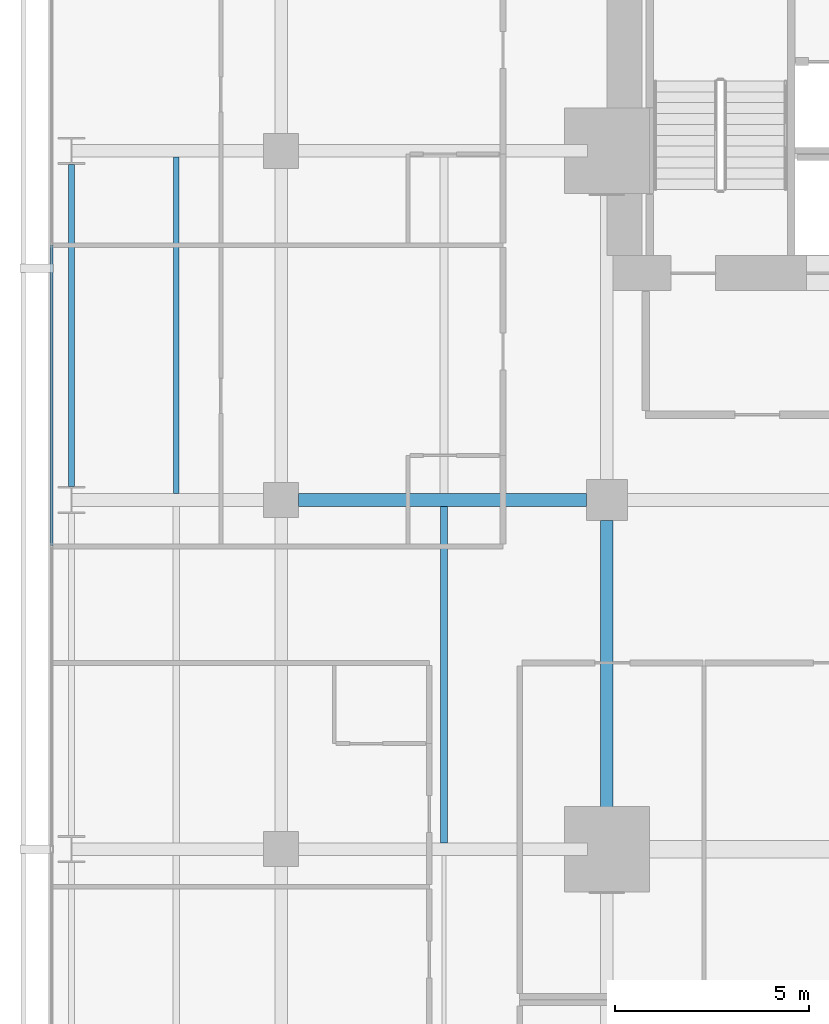
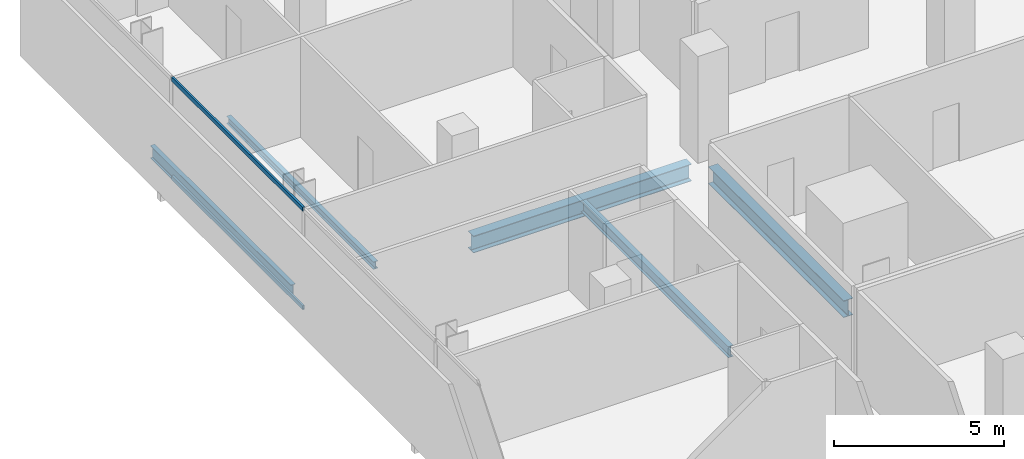
# One storey, part 22 of 40: 5 beams, 2 members, 1 element without a shape of its own.
"""IFC4 building model written with IfcOpenShell, lengths in metres."""

import ifcopenshell
import ifcopenshell.guid

model = None  # the IFC model being written
_history = None  # IfcOwnerHistory: only IFC2X3 demands one
_inside = {}  # id of a spatial element -> (the spatial element, [elements in it])
_under = {}  # id of a project, library or spatial element -> (it, [spatial elements below it])
_declared = {}  # id of a project -> (the project, [libraries it declares])
_typed = {}  # id of a type object -> (the type object, [elements of that type])
_made_of = {}  # id of a material, layer set ... -> (it, [elements and type objects made of it])


def new_model(schema):
    """Start an empty IFC model of exactly this schema.

    Asked for "IFC4X3", IfcOpenShell would pick the latest addendum, in which some entities
    have other attributes; the version numbers below select the first issue.
    IFC2X3 requires an IfcOwnerHistory on every rooted entity: one is made here for all.
    """
    global model, _history
    if schema == "IFC4X3":
        model = ifcopenshell.file(schema_version=(4, 3, 0, 0))
    else:
        model = ifcopenshell.file(schema=schema)
    _inside.clear()
    _under.clear()
    _declared.clear()
    _typed.clear()
    _made_of.clear()
    _history = None
    if model.schema == "IFC2X3":
        org = make("IfcOrganization", Name="unknown")
        user = make(
            "IfcPersonAndOrganization",
            ThePerson=make("IfcPerson", FamilyName="unknown"),
            TheOrganization=org,
        )
        app = make(
            "IfcApplication",
            ApplicationDeveloper=org,
            Version="unknown",
            ApplicationFullName="unknown",
            ApplicationIdentifier="unknown",
        )
        _history = make(
            "IfcOwnerHistory",
            OwningUser=user,
            OwningApplication=app,
            ChangeAction="ADDED",
            CreationDate=0,
        )
    return model


def make(cls, **values):
    """One entity of the class cls with the attributes given. An attribute that is None is left unset."""
    return model.create_entity(
        cls, **{name: value for name, value in values.items() if value is not None}
    )


def rooted(cls, **values):
    """An entity with a GlobalId (a new one), such as an element, a storey or a relation."""
    return make(cls, GlobalId=ifcopenshell.guid.new(), OwnerHistory=_history, **values)


def si_unit(unit_type, name, prefix=None):
    """IfcSIUnit, for example si_unit("LENGTHUNIT", "METRE", prefix="MILLI")."""
    return make("IfcSIUnit", UnitType=unit_type, Prefix=prefix, Name=name)


def assignment(units):
    """IfcUnitAssignment: the units of a project."""
    return None if units is None else make("IfcUnitAssignment", Units=units)


def point(xyz):
    """IfcCartesianPoint."""
    return None if xyz is None else make("IfcCartesianPoint", Coordinates=xyz)


def direction(xyz):
    """IfcDirection."""
    return None if xyz is None else make("IfcDirection", DirectionRatios=xyz)


def frame(location, z_axis=None, x_axis=None):
    """IfcAxis2Placement3D, a coordinate frame: its origin and axes. An axis left out is left unset."""
    return make(
        "IfcAxis2Placement3D",
        Location=point(location),
        Axis=direction(z_axis),
        RefDirection=direction(x_axis),
    )


def frame_2d(location, x_axis=None):
    """IfcAxis2Placement2D, a coordinate frame in the plane: its origin and x axis."""
    return make(
        "IfcAxis2Placement2D", Location=point(location), RefDirection=direction(x_axis)
    )


def origin():
    """The frame at (0, 0, 0) with its axes left unset."""
    return frame((0.0, 0.0, 0.0))


def origin_2d():
    """The frame at (0, 0) in the plane with its x axis left unset."""
    return frame_2d((0.0, 0.0))


def place(relative_to, where):
    """IfcLocalPlacement: puts the frame where relative to a parent placement (None: the world)."""
    return make(
        "IfcLocalPlacement", PlacementRelTo=relative_to, RelativePlacement=where
    )


def context(
    kind, dimensions, precision=None, world=None, true_north=None, identifier=None
):
    """IfcGeometricRepresentationContext, for example the 3D "Model" context."""
    return make(
        "IfcGeometricRepresentationContext",
        ContextIdentifier=identifier,
        ContextType=kind,
        CoordinateSpaceDimension=dimensions,
        Precision=precision,
        WorldCoordinateSystem=world,
        TrueNorth=true_north,
    )


def subcontext(parent, identifier, kind, view, scale=None):
    """IfcGeometricRepresentationSubContext, for example "Body" below "Model"."""
    return make(
        "IfcGeometricRepresentationSubContext",
        ContextIdentifier=identifier,
        ContextType=kind,
        ParentContext=parent,
        TargetScale=scale,
        TargetView=view,
    )


def project(units=None, contexts=None):
    """IfcProject with its units and contexts."""
    return rooted(
        "IfcProject",
        Name="project",
        RepresentationContexts=contexts,
        UnitsInContext=assignment(units),
    )


def spatial(cls, under=None, at=None, **own):
    """A site, building, storey or space (cls), placed at a placement, below another one or the project."""
    s = rooted(cls, ObjectPlacement=at, **own)
    if under is not None:
        _under.setdefault(under.id(), (under, []))[1].append(s)
    return s


def profile(cls, at=None, kind="AREA", **sizes):
    """A parametric profile (cls). Its sizes go by their IFC names, for example OverallWidth=200.0."""
    return make(cls, ProfileType=kind, Position=at, **sizes)


def hollow_rectangle(**sizes):
    """IfcRectangleHollowProfileDef."""
    return profile("IfcRectangleHollowProfileDef", **sizes)


def i_section(**sizes):
    """IfcIShapeProfileDef."""
    return profile("IfcIShapeProfileDef", **sizes)


def extrude(swept, where, along, depth):
    """IfcExtrudedAreaSolid: the profile swept, set in the frame where, extruded along a direction by depth."""
    return make(
        "IfcExtrudedAreaSolid",
        SweptArea=swept,
        Position=where,
        ExtrudedDirection=direction(along),
        Depth=depth,
    )


def shape(context_of_items, identifier, shape_type, items):
    """IfcShapeRepresentation: the items that make up one representation, for example the "Body"."""
    return make(
        "IfcShapeRepresentation",
        ContextOfItems=context_of_items,
        RepresentationIdentifier=identifier,
        RepresentationType=shape_type,
        Items=items,
    )


def material(Name=None, Category=None):
    """IfcMaterial."""
    return make("IfcMaterial", Name=Name, Category=Category)


def layer(
    of_material, thickness, ventilated=None, Name=None, Category=None, Priority=None
):
    """IfcMaterialLayer: one layer of a wall or slab, of a material (None: an air gap)."""
    return make(
        "IfcMaterialLayer",
        Material=of_material,
        LayerThickness=thickness,
        IsVentilated=ventilated,
        Name=Name,
        Category=Category,
        Priority=Priority,
    )


def layer_set(layers, Name=None):
    """IfcMaterialLayerSet."""
    return make("IfcMaterialLayerSet", MaterialLayers=layers, LayerSetName=Name)


def material_profile(
    of_material, cross_section, Name=None, Category=None, Priority=None
):
    """IfcMaterialProfile: a cross section and its material."""
    return make(
        "IfcMaterialProfile",
        Name=Name,
        Material=of_material,
        Profile=cross_section,
        Priority=Priority,
        Category=Category,
    )


def profile_set(profiles, Name=None, composite=None):
    """IfcMaterialProfileSet."""
    return make(
        "IfcMaterialProfileSet",
        Name=Name,
        MaterialProfiles=profiles,
        CompositeProfile=composite,
    )


def made_of(thing, what):
    """Note that an element or type object is made of a material, layer set ...; save() writes the relation."""
    if what is not None:
        _made_of.setdefault(what.id(), (what, []))[1].append(thing)
    return thing


def type_object(cls, material=None, **own):
    """A type object (cls), such as IfcWallType, which elements share."""
    return made_of(rooted(cls, **own), material)


def element(
    cls,
    number,
    at=None,
    inside=None,
    cuts=None,
    type_object=None,
    material=None,
    context=None,
    identifier="Body",
    shape_type=None,
    held_by="IfcProductDefinitionShape",
    body=None,
    shapes=None,
    **own,
):
    """One element of the class cls, such as IfcWall. Its Tag is "e" and its number.

    at: its placement. inside: the storey or other place that contains it. cuts: it is an
    opening in that element (IfcRelVoidsElement). A single representation is given by context,
    identifier, shape_type and body (its items); several are given by shapes. held_by: the class
    of the entity that holds the representations. save() writes the other relations.
    """
    e = rooted(cls, Tag="e%d" % number, ObjectPlacement=at, **own)
    if body is not None:
        shapes = [shape(context, identifier, shape_type, body)]
    if shapes is not None:
        e.Representation = make(held_by, Representations=shapes)
    if inside is not None:
        _inside.setdefault(inside.id(), (inside, []))[1].append(e)
    if cuts is not None:
        rooted(
            "IfcRelVoidsElement", RelatingBuildingElement=cuts, RelatedOpeningElement=e
        )
    if type_object is not None:
        _typed.setdefault(type_object.id(), (type_object, []))[1].append(e)
    return made_of(e, material)


def aggregate(whole, parts):
    """IfcRelAggregates: a whole, such as a stair, and the parts it consists of."""
    return rooted("IfcRelAggregates", RelatingObject=whole, RelatedObjects=parts)


def save(model, path):
    """Write the relations noted so far, then the file.

    IfcRelAggregates (storeys below a building ...), IfcRelContainedInSpatialStructure (elements
    in a storey), IfcRelDefinesByType, IfcRelAssociatesMaterial and IfcRelDeclares: one each for
    every whole, place, type object, material and project.
    """
    for whole, parts in _under.values():
        aggregate(whole, parts)
    for where, things in _inside.values():
        rooted(
            "IfcRelContainedInSpatialStructure",
            RelatedElements=things,
            RelatingStructure=where,
        )
    for kind, things in _typed.values():
        rooted("IfcRelDefinesByType", RelatedObjects=things, RelatingType=kind)
    for what, things in _made_of.values():
        rooted("IfcRelAssociatesMaterial", RelatedObjects=things, RelatingMaterial=what)
    for by, libraries in _declared.values():
        rooted("IfcRelDeclares", RelatingContext=by, RelatedDefinitions=libraries)
    model.write(path)


model = new_model("IFC4")

# Units and contexts
model_context = context("Model", 3, precision=1e-05, world=origin(), true_north=direction((0.0, 1.0)))
body_context = subcontext(model_context, "Body", "Model", "MODEL_VIEW")
ifc_project = project(units=[si_unit("LENGTHUNIT", "METRE"), si_unit("AREAUNIT", "SQUARE_METRE"), si_unit("VOLUMEUNIT", "CUBIC_METRE"), si_unit("PLANEANGLEUNIT", "RADIAN"), si_unit("MASSUNIT", "GRAM", prefix="KILO")], contexts=[model_context])

# Site, building, storey
site_placement = place(None, origin())
site = spatial("IfcSite", under=ifc_project, at=site_placement, CompositionType="ELEMENT")
building_placement = place(site_placement, origin())
building = spatial("IfcBuilding", under=site, at=building_placement, Name="Maruvema Waterfront Hotel and Observation Tower", CompositionType="ELEMENT")
storey_placement = place(building_placement, frame((0.0, 0.0, 92.39990234375)))
storey = spatial("IfcBuildingStorey", under=building, at=storey_placement, Name="L22", CompositionType="ELEMENT", Elevation=92.39990234375)

# Curtain wall, members
ifc_material_1 = material(Name="Anodised bronze aluminium and solar-control low-E IGU", Category="aluminium")
ifc_layer = layer(ifc_material_1, 0.159912109375, Name="Zone 1 Bronze Inner Thermal Curtain Wall System CW-02")
ifc_layer_set = layer_set([ifc_layer], Name="Anodised bronze aluminium and solar-control low-E IGU")
curtain_wall_type = type_object("IfcCurtainWallType", Name="Zone 1 Bronze Inner Thermal Curtain Wall System CW-02", PredefinedType="USERDEFINED", material=ifc_layer_set)
curtain_wall_placement = place(storey_placement, origin())
curtain_wall = element("IfcCurtainWall", 1, at=curtain_wall_placement, inside=storey, type_object=curtain_wall_type, Name="L22 Curtain Wall CW-L22-W", ObjectType="UNITISED CURTAIN WALL", PredefinedType="USERDEFINED")
ifc_material_2 = material(Name="Anodised architectural bronze aluminium", Category="aluminium")
ifc_material_profile_1 = material_profile(ifc_material_2, hollow_rectangle(XDim=0.070068359375, YDim=0.14990234375, WallThickness=0.00390625, at=origin_2d()), Name="ALU-T70x150")
ifc_profile_set_1 = profile_set([ifc_material_profile_1], Name="Anodised architectural bronze aluminium")
member_type = type_object("IfcMemberType", Name="Curtain Wall Horizontal Transom ALU-T70x150", PredefinedType="USERDEFINED", material=ifc_profile_set_1)
member_1_placement = place(storey_placement, frame((10.8798828125, 42.570068359375, 0.030029296875), z_axis=(0.0, -1.0, 0.0), x_axis=(1.0, 0.0, 0.0)))
member_1 = element("IfcMember", 2, at=member_1_placement, type_object=member_type, Name="CW-02 transom 2.1", ObjectType="TRANSOM", PredefinedType="USERDEFINED", context=body_context, shape_type="SweptSolid", body=[
    extrude(hollow_rectangle(XDim=0.070068359375, YDim=0.14990234375, WallThickness=0.00390625, at=origin_2d()), origin(), (0.0, 0.0, 1.0), 7.739990234375),
])
member_2_placement = place(storey_placement, frame((10.8798828125, 42.570068359375, 3.580078125), z_axis=(0.0, -1.0, 0.0), x_axis=(1.0, 0.0, 0.0)))
member_2 = element("IfcMember", 3, at=member_2_placement, type_object=member_type, Name="CW-02 transom 2.2", ObjectType="TRANSOM", PredefinedType="USERDEFINED", context=body_context, shape_type="SweptSolid", body=[
    extrude(hollow_rectangle(XDim=0.070068359375, YDim=0.14990234375, WallThickness=0.00390625, at=origin_2d()), origin(), (0.0, 0.0, 1.0), 7.739990234375),
])
aggregate(curtain_wall, [member_1, member_2])

# Beams
ifc_material_3 = material(Name="Steel ASTM A572 Grade 50", Category="steel")
ifc_material_profile_2 = material_profile(ifc_material_3, i_section(OverallWidth=0.153076171875, OverallDepth=0.455078125, WebThickness=0.008056640625, FlangeThickness=0.01318359375, FilletRadius=0.014892578125, at=origin_2d()), Name="W460x60.0")
ifc_profile_set_2 = profile_set([ifc_material_profile_2], Name="Steel ASTM A572 Grade 50")
beam_type_1 = type_object("IfcBeamType", Name="Perimeter Spandrel Beam W460x60.0", PredefinedType="SPANDREL", material=ifc_profile_set_2)
beam_1_placement = place(storey_placement, frame((11.39990234375, 36.35009765625, -0.46728515625), z_axis=(0.0, 1.0, 0.0), x_axis=(-1.0, 0.0, 0.0)))
element("IfcBeam", 4, at=beam_1_placement, inside=storey, type_object=beam_type_1, Name="L22 Floor Girder NS-04", PredefinedType="SPANDREL", context=body_context, shape_type="SweptSolid", body=[
    extrude(i_section(OverallWidth=0.153076171875, OverallDepth=0.455078125, WebThickness=0.008056640625, FlangeThickness=0.01318359375, FilletRadius=0.014892578125, at=origin_2d()), origin(), (0.0, 0.0, 1.0), 8.2998046875),
])
ifc_material_4 = material(Name="Steel ASTM A572 Grade 50", Category="steel")
ifc_material_profile_3 = material_profile(ifc_material_4, i_section(OverallWidth=0.323974609375, OverallDepth=0.611083984375, WebThickness=0.0126953125, FlangeThickness=0.01904296875, FilletRadius=0.01806640625, at=origin_2d()), Name="W610x155.0")
ifc_profile_set_3 = profile_set([ifc_material_profile_3], Name="Steel ASTM A572 Grade 50")
beam_type_2 = type_object("IfcBeamType", Name="Primary Floor Girder W610x155.0", PredefinedType="BEAM", material=ifc_profile_set_3)
beam_2_placement = place(storey_placement, frame((17.25, 36.0, -0.54541015625), z_axis=(1.0, 0.0, 0.0), x_axis=(0.0, 1.0, 0.0)))
element("IfcBeam", 5, at=beam_2_placement, inside=storey, type_object=beam_type_2, Name="L22 Floor Girder EW-26", PredefinedType="BEAM", context=body_context, shape_type="SweptSolid", body=[
    extrude(i_section(OverallWidth=0.323974609375, OverallDepth=0.611083984375, WebThickness=0.0126953125, FlangeThickness=0.01904296875, FilletRadius=0.01806640625, at=origin_2d()), origin(), (0.0, 0.0, 1.0), 7.425048828125),
])
beam_3_placement = place(storey_placement, frame((25.199951171875, 27.5, -0.54541015625), z_axis=(0.0, 1.0, 0.0), x_axis=(-1.0, 0.0, 0.0)))
element("IfcBeam", 6, at=beam_3_placement, inside=storey, type_object=beam_type_2, Name="L22 Floor Girder NS-14", PredefinedType="BEAM", context=body_context, shape_type="SweptSolid", body=[
    extrude(i_section(OverallWidth=0.323974609375, OverallDepth=0.611083984375, WebThickness=0.0126953125, FlangeThickness=0.01904296875, FilletRadius=0.01806640625, at=origin_2d()), origin(), (0.0, 0.0, 1.0), 7.97509765625),
])
ifc_material_5 = material(Name="Steel ASTM A572 Grade 50", Category="steel")
ifc_material_profile_4 = material_profile(ifc_material_5, i_section(OverallWidth=0.14794921875, OverallDepth=0.26611328125, WebThickness=0.007568359375, FlangeThickness=0.012939453125, FilletRadius=0.012939453125, at=origin_2d()), Name="W250x44.8")
ifc_profile_set_4 = profile_set([ifc_material_profile_4], Name="Steel ASTM A572 Grade 50")
beam_type_3 = type_object("IfcBeamType", Name="Secondary Floor Joist W250x44.8", PredefinedType="JOIST", material=ifc_profile_set_4)
beam_4_placement = place(storey_placement, frame((14.10009765625, 36.162109375, -0.372802734375), z_axis=(0.0, 1.0, 0.0), x_axis=(-1.0, 0.0, 0.0)))
element("IfcBeam", 7, at=beam_4_placement, inside=storey, type_object=beam_type_3, Name="L22 Secondary Floor Joist JS-04", PredefinedType="JOIST", context=body_context, shape_type="SweptSolid", body=[
    extrude(i_section(OverallWidth=0.14794921875, OverallDepth=0.26611328125, WebThickness=0.007568359375, FlangeThickness=0.012939453125, FilletRadius=0.012939453125, at=origin_2d()), origin(), (0.0, 0.0, 1.0), 8.67578125),
])
ifc_material_6 = material(Name="Steel ASTM A572 Grade 50", Category="steel")
ifc_material_profile_5 = material_profile(ifc_material_6, i_section(OverallWidth=0.177001953125, OverallDepth=0.403076171875, WebThickness=0.007568359375, FlangeThickness=0.010986328125, FilletRadius=0.014892578125, at=origin_2d()), Name="W410x53.0")
ifc_profile_set_5 = profile_set([ifc_material_profile_5], Name="Steel ASTM A572 Grade 50")
beam_type_4 = type_object("IfcBeamType", Name="Secondary Floor Joist W410x53.0", PredefinedType="JOIST", material=ifc_profile_set_5)
beam_5_placement = place(storey_placement, frame((21.0, 27.162109375, -0.44140625), z_axis=(0.0, 1.0, 0.0), x_axis=(-1.0, 0.0, 0.0)))
element("IfcBeam", 8, at=beam_5_placement, inside=storey, type_object=beam_type_4, Name="L22 Secondary Floor Joist JS-08", PredefinedType="JOIST", context=body_context, shape_type="SweptSolid", body=[
    extrude(i_section(OverallWidth=0.177001953125, OverallDepth=0.403076171875, WebThickness=0.007568359375, FlangeThickness=0.010986328125, FilletRadius=0.014892578125, at=origin_2d()), origin(), (0.0, 0.0, 1.0), 8.67578125),
])

save(model, "model.ifc")
